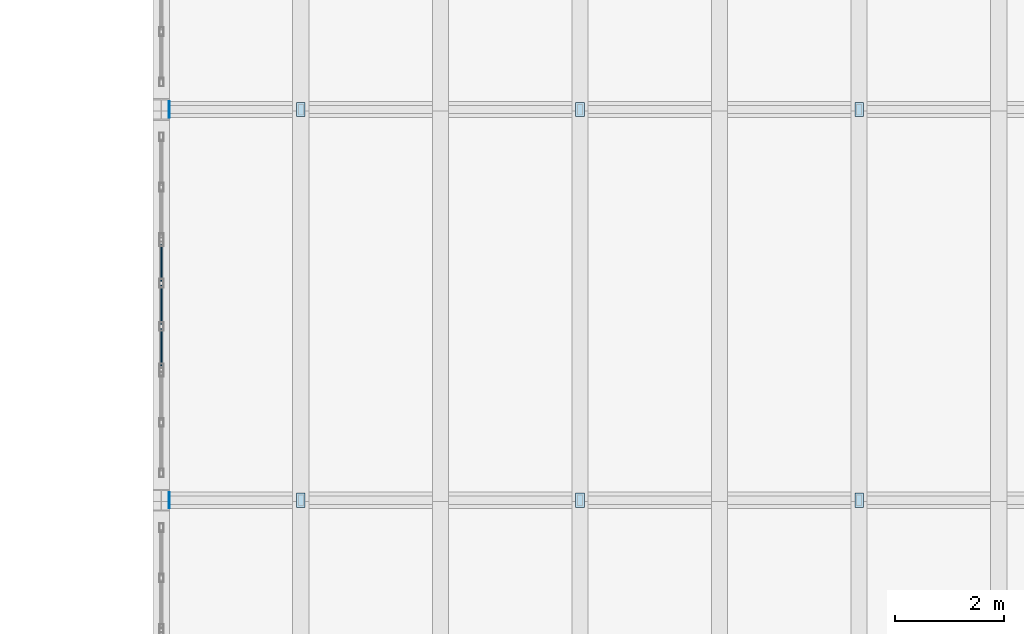
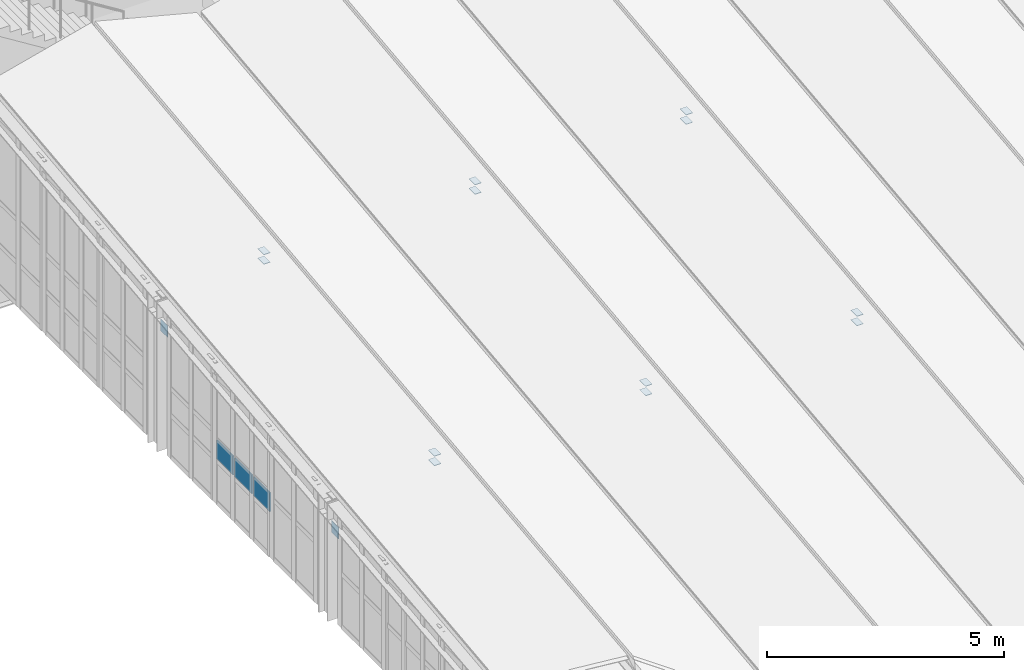
# One storey, part 35 of 48: 17 plates, 1 element without a shape of its own.
"""IFC4 building model written with IfcOpenShell, lengths in metres."""

from ifc_helpers import new_model, si_unit, direction, frame, origin, origin_2d, place, context, subcontext, project, spatial, rectangle, extrude, material, layer, layer_set, type_object, element, aggregate, save


model = new_model("IFC4")

# Units and contexts
model_context = context("Model", 3, precision=1e-05, world=origin(), true_north=direction((0.0, 1.0)))
body_context = subcontext(model_context, "Body", "Model", "MODEL_VIEW")
ifc_project = project(units=[si_unit("LENGTHUNIT", "METRE"), si_unit("AREAUNIT", "SQUARE_METRE"), si_unit("VOLUMEUNIT", "CUBIC_METRE"), si_unit("PLANEANGLEUNIT", "RADIAN"), si_unit("MASSUNIT", "GRAM", prefix="KILO"), si_unit("THERMODYNAMICTEMPERATUREUNIT", "KELVIN"), si_unit("POWERUNIT", "WATT")], contexts=[model_context])

# Site, building, storey
site_placement = place(None, origin())
site = spatial("IfcSite", under=ifc_project, at=site_placement, CompositionType="ELEMENT")
building_placement = place(site_placement, origin())
building = spatial("IfcBuilding", under=site, at=building_placement, Name="Kaldorven Railside Theatre", CompositionType="ELEMENT")
storey_placement = place(building_placement, frame((0.0, 0.0, 18.89990234375)))
storey = spatial("IfcBuildingStorey", under=building, at=storey_placement, Name="L04", CompositionType="ELEMENT", Elevation=18.89990234375)

# Curtain wall, plates
ifc_material_1 = material(Name="Low-E laminated solar-control glass", Category="glass")
ifc_layer_1 = layer(ifc_material_1, 0.159912109375, Name="Low-E laminated solar-control glass")
ifc_layer_set_1 = layer_set([ifc_layer_1], Name="Low-E laminated solar-control glass")
curtain_wall_type = type_object("IfcCurtainWallType", Name="CWT-36", PredefinedType="USERDEFINED", material=ifc_layer_set_1)
curtain_wall_placement = place(storey_placement, origin())
curtain_wall = element("IfcCurtainWall", 1, at=curtain_wall_placement, inside=storey, type_object=curtain_wall_type, Name="Main Theatre West Eave Clerestory CWG-012", ObjectType="FLUTED GLAZING", PredefinedType="USERDEFINED")
ifc_layer_2 = layer(ifc_material_1, 0.028076171875, Name="Low-E laminated solar-control glass")
ifc_layer_set_2 = layer_set([ifc_layer_2], Name="Low-E laminated solar-control glass")
plate_type_1 = type_object("IfcPlateType", Name="CWP-GLZ28", PredefinedType="CURTAIN_PANEL", material=ifc_layer_set_2)
plate_1_placement = place(storey_placement, frame((87.199951171875, 72.419921875, 1.14990234375), z_axis=(0.0, 0.0, 1.0), x_axis=(0.0, 1.0, 0.0)))
plate_1 = element("IfcPlate", 2, at=plate_1_placement, type_object=plate_type_1, Name="CWG-012 panel 1.2", PredefinedType="CURTAIN_PANEL", context=body_context, shape_type="SweptSolid", body=[
    extrude(rectangle(XDim=0.679931640625, YDim=0.028076171875, at=origin_2d()), origin(), (0.0, 0.0, 1.0), 0.489990234375),
])
plate_2_placement = place(storey_placement, frame((87.199951171875, 73.199951171875, 1.14990234375), z_axis=(0.0, 0.0, 1.0), x_axis=(0.0, 1.0, 0.0)))
plate_2 = element("IfcPlate", 3, at=plate_2_placement, type_object=plate_type_1, Name="CWG-012 panel 2.2", PredefinedType="CURTAIN_PANEL", context=body_context, shape_type="SweptSolid", body=[
    extrude(rectangle(XDim=0.719970703125, YDim=0.028076171875, at=origin_2d()), origin(), (0.0, 0.0, 1.0), 0.489990234375),
])
plate_3_placement = place(storey_placement, frame((87.199951171875, 73.97998046875, 1.14990234375), z_axis=(0.0, 0.0, 1.0), x_axis=(0.0, 1.0, 0.0)))
plate_3 = element("IfcPlate", 4, at=plate_3_placement, type_object=plate_type_1, Name="CWG-012 panel 3.2", PredefinedType="CURTAIN_PANEL", context=body_context, shape_type="SweptSolid", body=[
    extrude(rectangle(XDim=0.679931640625, YDim=0.028076171875, at=origin_2d()), origin(), (0.0, 0.0, 1.0), 0.489990234375),
])
aggregate(curtain_wall, [plate_1, plate_2, plate_3])

# Plates
ifc_material_2 = material(Name="Steel S355", Category="steel")
ifc_layer_3 = layer(ifc_material_2, 0.011962890625, Name="Steel S355")
ifc_layer_set_3 = layer_set([ifc_layer_3], Name="Steel S355")
plate_type_2 = type_object("IfcPlateType", Name="PLT-CAP-12", PredefinedType="USERDEFINED", material=ifc_layer_set_3)
for number, where, z_axis, x_axis, name in (
    (5, (87.33984375, 69.60009765625, 2.138916015625), (1.0, 0.0, 0.0), (0.0, 1.0, 0.0), "End cap gusset plate PL-0167"),
    (6, (87.33984375, 76.800048828125, 2.958740234375), (1.0, 0.0, 0.0), (0.0, 1.0, 0.0), "End cap gusset plate PL-0169"),
):
    element("IfcPlate", number, at=place(storey_placement, frame(where, z_axis=z_axis, x_axis=x_axis)), inside=storey, type_object=plate_type_2, Name=name, ObjectType="CAP PLATE", PredefinedType="USERDEFINED", context=body_context, shape_type="SweptSolid", body=[
        extrude(rectangle(XDim=0.300048828125, YDim=0.300048828125, at=origin_2d()), origin(), (0.0, 0.0, 1.0), 0.011962890625),
    ])
for number, where, z_axis, x_axis, name in (
    (7, (89.771484375, 69.60009765625, 3.03369140625), (0.0, 0.0, 1.0), (1.0, 0.0, 0.0), "End cap gusset plate PL-0177"),
    (8, (89.771484375, 69.60009765625, 3.27734375), (0.0, 0.0, 1.0), (1.0, 0.0, 0.0), "End cap gusset plate PL-0178"),
    (9, (89.771484375, 76.800048828125, 3.85400390625), (0.0, 0.0, 1.0), (1.0, 0.0, 0.0), "End cap gusset plate PL-0179"),
    (10, (89.771484375, 76.800048828125, 4.09765625), (0.0, 0.0, 1.0), (1.0, 0.0, 0.0), "End cap gusset plate PL-0180"),
    (11, (94.914306640625, 69.60009765625, 3.03369140625), (0.0, 0.0, 1.0), (1.0, 0.0, 0.0), "End cap gusset plate PL-0187"),
    (12, (94.914306640625, 69.60009765625, 3.27734375), (0.0, 0.0, 1.0), (1.0, 0.0, 0.0), "End cap gusset plate PL-0188"),
    (13, (94.914306640625, 76.800048828125, 3.85400390625), (0.0, 0.0, 1.0), (1.0, 0.0, 0.0), "End cap gusset plate PL-0189"),
    (14, (94.914306640625, 76.800048828125, 4.09765625), (0.0, 0.0, 1.0), (1.0, 0.0, 0.0), "End cap gusset plate PL-0190"),
    (15, (100.05712890625, 69.60009765625, 3.03369140625), (0.0, 0.0, 1.0), (1.0, 0.0, 0.0), "End cap gusset plate PL-0197"),
    (16, (100.05712890625, 69.60009765625, 3.27734375), (0.0, 0.0, 1.0), (1.0, 0.0, 0.0), "End cap gusset plate PL-0198"),
    (17, (100.05712890625, 76.800048828125, 3.85400390625), (0.0, 0.0, 1.0), (1.0, 0.0, 0.0), "End cap gusset plate PL-0199"),
    (18, (100.05712890625, 76.800048828125, 4.09765625), (0.0, 0.0, 1.0), (1.0, 0.0, 0.0), "End cap gusset plate PL-0200"),
):
    element("IfcPlate", number, at=place(storey_placement, frame(where, z_axis=z_axis, x_axis=x_axis)), inside=storey, type_object=plate_type_2, Name=name, ObjectType="CAP PLATE", PredefinedType="USERDEFINED", context=body_context, shape_type="SweptSolid", body=[
        extrude(rectangle(XDim=0.159912109375, YDim=0.260009765625, at=origin_2d()), origin(), (0.0, 0.0, 1.0), 0.011962890625),
    ])

save(model, "model.ifc")
